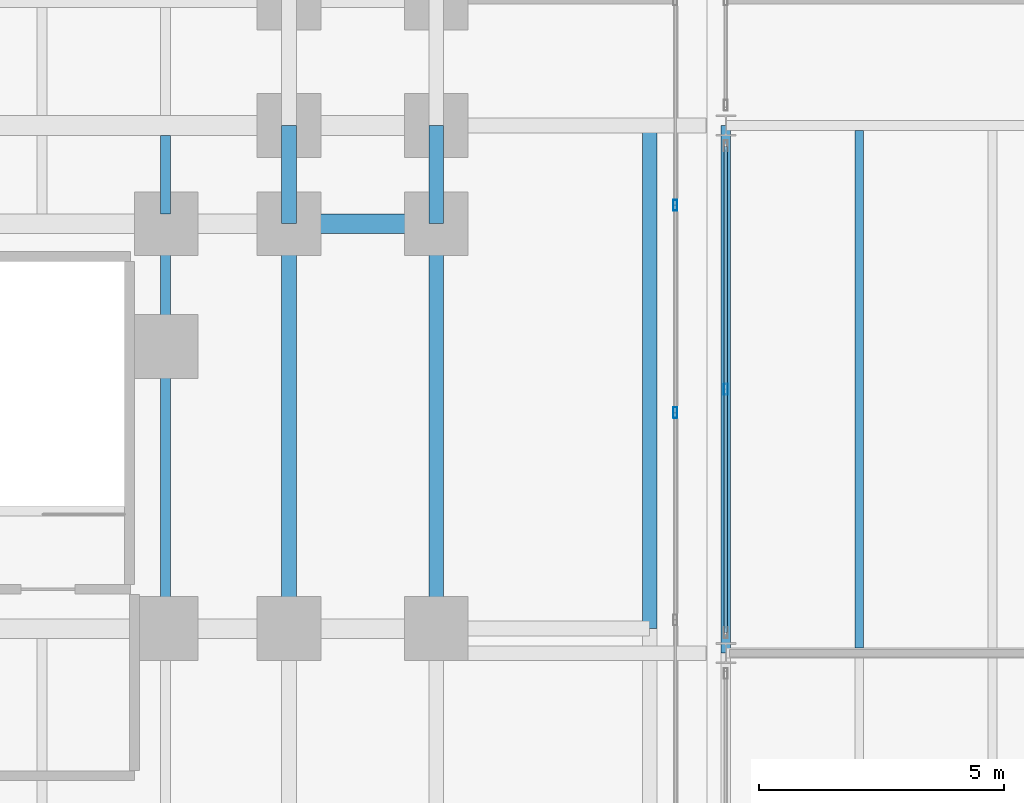
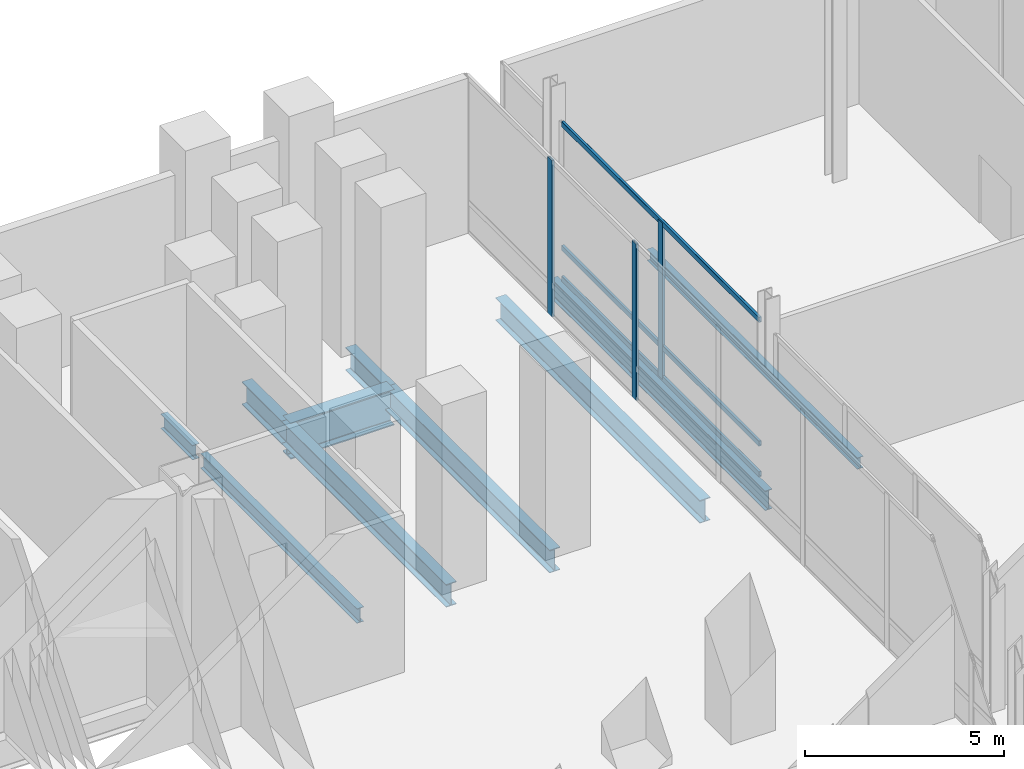
# One storey, part 18 of 36: 10 beams, 6 members, 2 elements without a shape of their own.
"""IFC4 building model written with IfcOpenShell, lengths in metres."""

from ifc_helpers import new_model, si_unit, direction, frame, origin, origin_2d, place, context, subcontext, project, spatial, hollow_rectangle, i_section, extrude, material, material_profile, profile_set, type_object, element, aggregate, save


model = new_model("IFC4")

# Units and contexts
model_context = context("Model", 3, precision=1e-05, world=origin(), true_north=direction((0.0, 1.0)))
body_context = subcontext(model_context, "Body", "Model", "MODEL_VIEW")
ifc_project = project(units=[si_unit("LENGTHUNIT", "METRE"), si_unit("AREAUNIT", "SQUARE_METRE"), si_unit("VOLUMEUNIT", "CUBIC_METRE"), si_unit("PLANEANGLEUNIT", "RADIAN"), si_unit("MASSUNIT", "GRAM", prefix="KILO")], contexts=[model_context])

# Site, building, storey
site_placement = place(None, origin())
site = spatial("IfcSite", under=ifc_project, at=site_placement, CompositionType="ELEMENT")
building_placement = place(site_placement, origin())
building = spatial("IfcBuilding", under=site, at=building_placement, Name="Noeulbin Bourse Tower", CompositionType="ELEMENT")
storey_placement = place(building_placement, origin())
storey = spatial("IfcBuildingStorey", under=building, at=storey_placement, Name="L01", CompositionType="ELEMENT", Elevation=0.0)

# Beams
ifc_material_1 = material(Name="Steel S355", Category="steel")
ifc_material_profile_1 = material_profile(ifc_material_1, i_section(OverallWidth=0.199951171875, OverallDepth=0.60009765625, WebThickness=0.010986328125, FlangeThickness=0.01708984375, FilletRadius=0.02197265625, at=origin_2d()), Name="H-600x200x11x17", Category="LoadBearing")
ifc_profile_set_1 = profile_set([ifc_material_profile_1], Name="Steel S355")
beam_type_1 = type_object("IfcBeamType", Name="BM-GRD-600", PredefinedType="USERDEFINED", material=ifc_profile_set_1)
beam_1_placement = place(storey_placement, frame((60.449951171875, 37.800048828125, -0.52001953125), z_axis=(0.0, 1.0, 0.0), x_axis=(-1.0, 0.0, 0.0)))
element("IfcBeam", 1, at=beam_1_placement, inside=storey, type_object=beam_type_1, Name="Market Hall Girder NS L01-14", ObjectType="GIRDER", PredefinedType="USERDEFINED", context=body_context, shape_type="SweptSolid", body=[
    extrude(i_section(OverallWidth=0.199951171875, OverallDepth=0.60009765625, WebThickness=0.010986328125, FlangeThickness=0.01708984375, FilletRadius=0.02197265625, at=origin_2d()), origin(), (0.0, 0.0, 1.0), 10.75),
])
ifc_material_profile_2 = material_profile(ifc_material_1, i_section(OverallWidth=0.300048828125, OverallDepth=0.699951171875, WebThickness=0.012939453125, FlangeThickness=0.02392578125, FilletRadius=0.02392578125, at=origin_2d()), Name="H-700x300x13x24", Category="LoadBearing")
ifc_profile_set_2 = profile_set([ifc_material_profile_2], Name="Steel S355")
beam_type_2 = type_object("IfcBeamType", Name="BM-GRD-700", PredefinedType="USERDEFINED", material=ifc_profile_set_2)
beam_2_placement = place(storey_placement, frame((51.550048828125, 38.300048828125, -0.60009765625), z_axis=(0.0, 1.0, 0.0), x_axis=(-1.0, 0.0, 0.0)))
element("IfcBeam", 2, at=beam_2_placement, inside=storey, type_object=beam_type_2, Name="Podium Primary Girder NS L01-129", ObjectType="GIRDER", PredefinedType="USERDEFINED", context=body_context, shape_type="SweptSolid", body=[
    extrude(i_section(OverallWidth=0.300048828125, OverallDepth=0.699951171875, WebThickness=0.012939453125, FlangeThickness=0.02392578125, FilletRadius=0.02392578125, at=origin_2d()), origin(), (0.0, 0.0, 1.0), 8.25),
])
beam_3_placement = place(storey_placement, frame((51.550048828125, 46.550048828125, -0.60009765625), z_axis=(0.0, 1.0, 0.0), x_axis=(-1.0, 0.0, 0.0)))
element("IfcBeam", 3, at=beam_3_placement, inside=storey, type_object=beam_type_2, Name="Podium Primary Girder NS L01-130", ObjectType="GIRDER", PredefinedType="USERDEFINED", context=body_context, shape_type="SweptSolid", body=[
    extrude(i_section(OverallWidth=0.300048828125, OverallDepth=0.699951171875, WebThickness=0.012939453125, FlangeThickness=0.02392578125, FilletRadius=0.02392578125, at=origin_2d()), origin(), (0.0, 0.0, 1.0), 2.0),
])
beam_4_placement = place(storey_placement, frame((54.550048828125, 38.300048828125, -0.60009765625), z_axis=(0.0, 1.0, 0.0), x_axis=(-1.0, 0.0, 0.0)))
element("IfcBeam", 4, at=beam_4_placement, inside=storey, type_object=beam_type_2, Name="Podium Primary Girder NS L01-137", ObjectType="GIRDER", PredefinedType="USERDEFINED", context=body_context, shape_type="SweptSolid", body=[
    extrude(i_section(OverallWidth=0.300048828125, OverallDepth=0.699951171875, WebThickness=0.012939453125, FlangeThickness=0.02392578125, FilletRadius=0.02392578125, at=origin_2d()), origin(), (0.0, 0.0, 1.0), 8.25),
])
beam_5_placement = place(storey_placement, frame((54.550048828125, 46.550048828125, -0.60009765625), z_axis=(0.0, 1.0, 0.0), x_axis=(-1.0, 0.0, 0.0)))
element("IfcBeam", 5, at=beam_5_placement, inside=storey, type_object=beam_type_2, Name="Podium Primary Girder NS L01-138", ObjectType="GIRDER", PredefinedType="USERDEFINED", context=body_context, shape_type="SweptSolid", body=[
    extrude(i_section(OverallWidth=0.300048828125, OverallDepth=0.699951171875, WebThickness=0.012939453125, FlangeThickness=0.02392578125, FilletRadius=0.02392578125, at=origin_2d()), origin(), (0.0, 0.0, 1.0), 2.0),
])
beam_6_placement = place(storey_placement, frame((58.89990234375, 38.300048828125, -0.60009765625), z_axis=(0.0, 1.0, 0.0), x_axis=(-1.0, 0.0, 0.0)))
element("IfcBeam", 6, at=beam_6_placement, inside=storey, type_object=beam_type_2, Name="BM-L01-JNT-NS-5", ObjectType="GIRDER", PredefinedType="USERDEFINED", context=body_context, shape_type="SweptSolid", body=[
    extrude(i_section(OverallWidth=0.300048828125, OverallDepth=0.699951171875, WebThickness=0.012939453125, FlangeThickness=0.02392578125, FilletRadius=0.02392578125, at=origin_2d()), origin(), (0.0, 0.0, 1.0), 10.25),
])
ifc_material_profile_3 = material_profile(ifc_material_1, i_section(OverallWidth=0.175048828125, OverallDepth=0.35009765625, WebThickness=0.007080078125, FlangeThickness=0.010986328125, FilletRadius=0.013916015625, at=origin_2d()), Name="H-350x175x7x11", Category="LoadBearing")
ifc_profile_set_3 = profile_set([ifc_material_profile_3], Name="Steel S355")
beam_type_3 = type_object("IfcBeamType", Name="BM-JST-350", PredefinedType="JOIST", material=ifc_profile_set_3)
beam_7_placement = place(storey_placement, frame((63.166748046875, 37.89990234375, -0.39501953125), z_axis=(0.0, 1.0, 0.0), x_axis=(-1.0, 0.0, 0.0)))
element("IfcBeam", 7, at=beam_7_placement, inside=storey, type_object=beam_type_3, Name="Market Hall Secondary Joist L01-04", PredefinedType="JOIST", context=body_context, shape_type="SweptSolid", body=[
    extrude(i_section(OverallWidth=0.175048828125, OverallDepth=0.35009765625, WebThickness=0.007080078125, FlangeThickness=0.010986328125, FilletRadius=0.013916015625, at=origin_2d()), origin(), (0.0, 0.0, 1.0), 10.550048828125),
])
ifc_material_profile_4 = material_profile(ifc_material_1, i_section(OverallWidth=0.199951171875, OverallDepth=0.449951171875, WebThickness=0.009033203125, FlangeThickness=0.013916015625, FilletRadius=0.01806640625, at=origin_2d()), Name="H-450x200x9x14", Category="LoadBearing")
ifc_profile_set_4 = profile_set([ifc_material_profile_4], Name="Steel S355")
beam_type_4 = type_object("IfcBeamType", Name="BM-SEC-450", PredefinedType="BEAM", material=ifc_profile_set_4)
beam_8_placement = place(storey_placement, frame((49.033203125, 38.5, -0.47509765625), z_axis=(0.0, 1.0, 0.0), x_axis=(-1.0, 0.0, 0.0)))
element("IfcBeam", 8, at=beam_8_placement, inside=storey, type_object=beam_type_4, Name="Podium Secondary Beam L01-103", PredefinedType="BEAM", context=body_context, shape_type="SweptSolid", body=[
    extrude(i_section(OverallWidth=0.199951171875, OverallDepth=0.449951171875, WebThickness=0.009033203125, FlangeThickness=0.013916015625, FilletRadius=0.01806640625, at=origin_2d()), origin(), (0.0, 0.0, 1.0), 7.85009765625),
])
beam_9_placement = place(storey_placement, frame((49.033203125, 46.75, -0.47509765625), z_axis=(0.0, 1.0, 0.0), x_axis=(-1.0, 0.0, 0.0)))
element("IfcBeam", 9, at=beam_9_placement, inside=storey, type_object=beam_type_4, Name="Podium Secondary Beam L01-104", PredefinedType="BEAM", context=body_context, shape_type="SweptSolid", body=[
    extrude(i_section(OverallWidth=0.199951171875, OverallDepth=0.449951171875, WebThickness=0.009033203125, FlangeThickness=0.013916015625, FilletRadius=0.01806640625, at=origin_2d()), origin(), (0.0, 0.0, 1.0), 1.60009765625),
])
ifc_material_2 = material(Name="Steel S460", Category="steel")
ifc_material_profile_5 = material_profile(ifc_material_2, i_section(OverallWidth=0.39990234375, OverallDepth=1.10009765625, WebThickness=0.02001953125, FlangeThickness=0.035888671875, FilletRadius=0.02392578125, at=origin_2d()), Name="PG-1100x400x20x36", Category="LoadBearing")
ifc_profile_set_5 = profile_set([ifc_material_profile_5], Name="Steel S460")
beam_type_5 = type_object("IfcBeamType", Name="BM-TRF-1100", PredefinedType="USERDEFINED", material=ifc_profile_set_5)
beam_10_placement = place(storey_placement, frame((51.550048828125, 46.550048828125, -0.800048828125), z_axis=(1.0, 0.0, 0.0), x_axis=(0.0, 1.0, 0.0)))
element("IfcBeam", 10, at=beam_10_placement, inside=storey, type_object=beam_type_5, Name="Podium Primary Girder EW L01-056", ObjectType="GIRDER", PredefinedType="USERDEFINED", context=body_context, shape_type="SweptSolid", body=[
    extrude(i_section(OverallWidth=0.39990234375, OverallDepth=1.10009765625, WebThickness=0.02001953125, FlangeThickness=0.035888671875, FilletRadius=0.02392578125, at=origin_2d()), origin(), (0.0, 0.0, 1.0), 3.0),
])

# Curtain wall, members
ifc_material_3 = material(Name="Laminated Clear Low-E Glass", Category="glass")
curtain_wall_type = type_object("IfcCurtainWallType", Name="CW-SYS-1", PredefinedType="NOTDEFINED", material=ifc_material_3)
curtain_wall_1_placement = place(storey_placement, origin())
curtain_wall_1 = element("IfcCurtainWall", 11, at=curtain_wall_1_placement, inside=storey, type_object=curtain_wall_type, Name="Unitised Curtain Wall CW-L01-GAL-W", PredefinedType="NOTDEFINED")
ifc_material_4 = material(Name="Anodised Aluminium 6063-T6", Category="aluminium")
ifc_material_profile_6 = material_profile(ifc_material_4, hollow_rectangle(XDim=0.074951171875, YDim=0.219970703125, WallThickness=0.0048828125, InnerFilletRadius=0.00244140625, OuterFilletRadius=0.0048828125, at=origin_2d()), Name="ALU-MULL-75x220x5", Category="LoadBearing")
ifc_profile_set_6 = profile_set([ifc_material_profile_6], Name="Anodised Aluminium 6063-T6")
member_type_1 = type_object("IfcMemberType", Name="CW-SYS-1-MUL", PredefinedType="MULLION", material=ifc_profile_set_6)
member_1_placement = place(storey_placement, frame((59.419921875, 42.699951171875, -0.02001953125), z_axis=(0.0, 0.0, 1.0), x_axis=(1.0, 0.0, 0.0)))
member_1 = element("IfcMember", 12, at=member_1_placement, type_object=member_type_1, Name="Curtain Wall Mullion CW-L01-GAL-W-M10", PredefinedType="MULLION", context=body_context, shape_type="SweptSolid", body=[
    extrude(hollow_rectangle(XDim=0.074951171875, YDim=0.219970703125, WallThickness=0.0048828125, InnerFilletRadius=0.00244140625, OuterFilletRadius=0.0048828125, at=origin_2d()), origin(), (0.0, 0.0, 1.0), 4.7900390625),
])
member_2_placement = place(storey_placement, frame((59.419921875, 46.925048828125, -0.02001953125), z_axis=(0.0, 0.0, 1.0), x_axis=(1.0, 0.0, 0.0)))
member_2 = element("IfcMember", 13, at=member_2_placement, type_object=member_type_1, Name="Curtain Wall Mullion CW-L01-GAL-W-M11", PredefinedType="MULLION", context=body_context, shape_type="SweptSolid", body=[
    extrude(hollow_rectangle(XDim=0.074951171875, YDim=0.219970703125, WallThickness=0.0048828125, InnerFilletRadius=0.00244140625, OuterFilletRadius=0.0048828125, at=origin_2d()), origin(), (0.0, 0.0, 1.0), 4.7900390625),
])
aggregate(curtain_wall_1, [member_1, member_2])

curtain_wall_2_placement = place(storey_placement, origin())
curtain_wall_2 = element("IfcCurtainWall", 14, at=curtain_wall_2_placement, inside=storey, type_object=curtain_wall_type, Name="Unitised Curtain Wall CW-L01-GAL-E-S6", PredefinedType="NOTDEFINED")
member_3_placement = place(storey_placement, frame((60.449951171875, 43.175048828125, -0.02001953125), z_axis=(0.0, 0.0, 1.0), x_axis=(1.0, 0.0, 0.0)))
member_3 = element("IfcMember", 15, at=member_3_placement, type_object=member_type_1, Name="Curtain Wall Mullion CW-L01-GAL-E-S6-M01", PredefinedType="MULLION", context=body_context, shape_type="SweptSolid", body=[
    extrude(hollow_rectangle(XDim=0.074951171875, YDim=0.219970703125, WallThickness=0.0048828125, InnerFilletRadius=0.00244140625, OuterFilletRadius=0.0048828125, at=origin_2d()), origin(), (0.0, 0.0, 1.0), 4.7900390625),
])
ifc_material_profile_7 = material_profile(ifc_material_4, hollow_rectangle(XDim=0.074951171875, YDim=0.159912109375, WallThickness=0.0048828125, InnerFilletRadius=0.00244140625, OuterFilletRadius=0.0048828125, at=origin_2d()), Name="ALU-TRAN-75x160x5", Category="LoadBearing")
ifc_profile_set_7 = profile_set([ifc_material_profile_7], Name="Anodised Aluminium 6063-T6")
member_type_2 = type_object("IfcMemberType", Name="CW-SYS-1-TRN", PredefinedType="USERDEFINED", material=ifc_profile_set_7)
member_4_placement = place(storey_placement, frame((60.449951171875, 38.22412109375, 0.010009765625), z_axis=(0.0, 1.0, 0.0), x_axis=(-1.0, 0.0, 0.0)))
member_4 = element("IfcMember", 16, at=member_4_placement, type_object=member_type_2, Name="Curtain Wall Transom CW-L01-GAL-E-S6-T00", ObjectType="TRANSOM", PredefinedType="USERDEFINED", context=body_context, shape_type="SweptSolid", body=[
    extrude(hollow_rectangle(XDim=0.074951171875, YDim=0.159912109375, WallThickness=0.0048828125, InnerFilletRadius=0.00244140625, OuterFilletRadius=0.0048828125, at=origin_2d()), origin(), (0.0, 0.0, 1.0), 9.90185546875),
])
member_5_placement = place(storey_placement, frame((60.449951171875, 38.22412109375, 0.949951171875), z_axis=(0.0, 1.0, 0.0), x_axis=(-1.0, 0.0, 0.0)))
member_5 = element("IfcMember", 17, at=member_5_placement, type_object=member_type_2, Name="Curtain Wall Transom CW-L01-GAL-E-S6-T01", ObjectType="TRANSOM", PredefinedType="USERDEFINED", context=body_context, shape_type="SweptSolid", body=[
    extrude(hollow_rectangle(XDim=0.074951171875, YDim=0.159912109375, WallThickness=0.0048828125, InnerFilletRadius=0.00244140625, OuterFilletRadius=0.0048828125, at=origin_2d()), origin(), (0.0, 0.0, 1.0), 9.90185546875),
])
member_6_placement = place(storey_placement, frame((60.449951171875, 38.22412109375, 4.739990234375), z_axis=(0.0, 1.0, 0.0), x_axis=(-1.0, 0.0, 0.0)))
member_6 = element("IfcMember", 18, at=member_6_placement, type_object=member_type_2, Name="Curtain Wall Transom CW-L01-GAL-E-S6-T02", ObjectType="TRANSOM", PredefinedType="USERDEFINED", context=body_context, shape_type="SweptSolid", body=[
    extrude(hollow_rectangle(XDim=0.074951171875, YDim=0.159912109375, WallThickness=0.0048828125, InnerFilletRadius=0.00244140625, OuterFilletRadius=0.0048828125, at=origin_2d()), origin(), (0.0, 0.0, 1.0), 9.90185546875),
])
aggregate(curtain_wall_2, [member_3, member_4, member_5, member_6])

save(model, "model.ifc")
